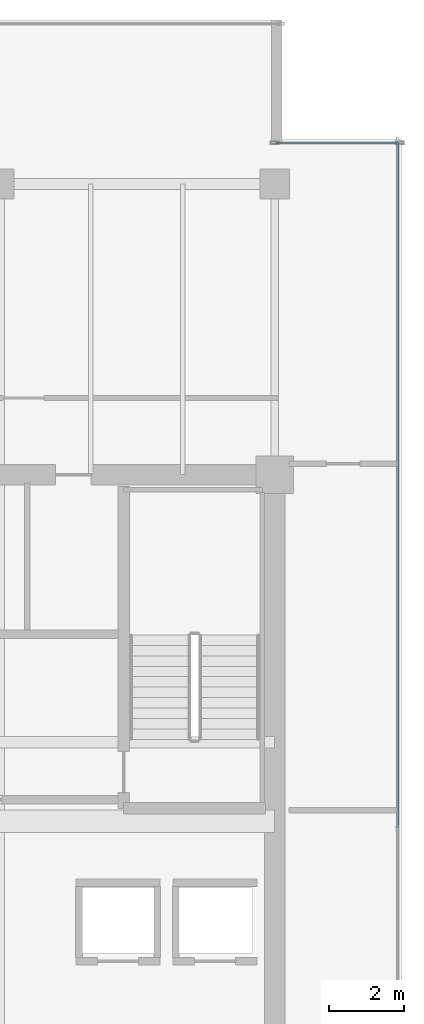
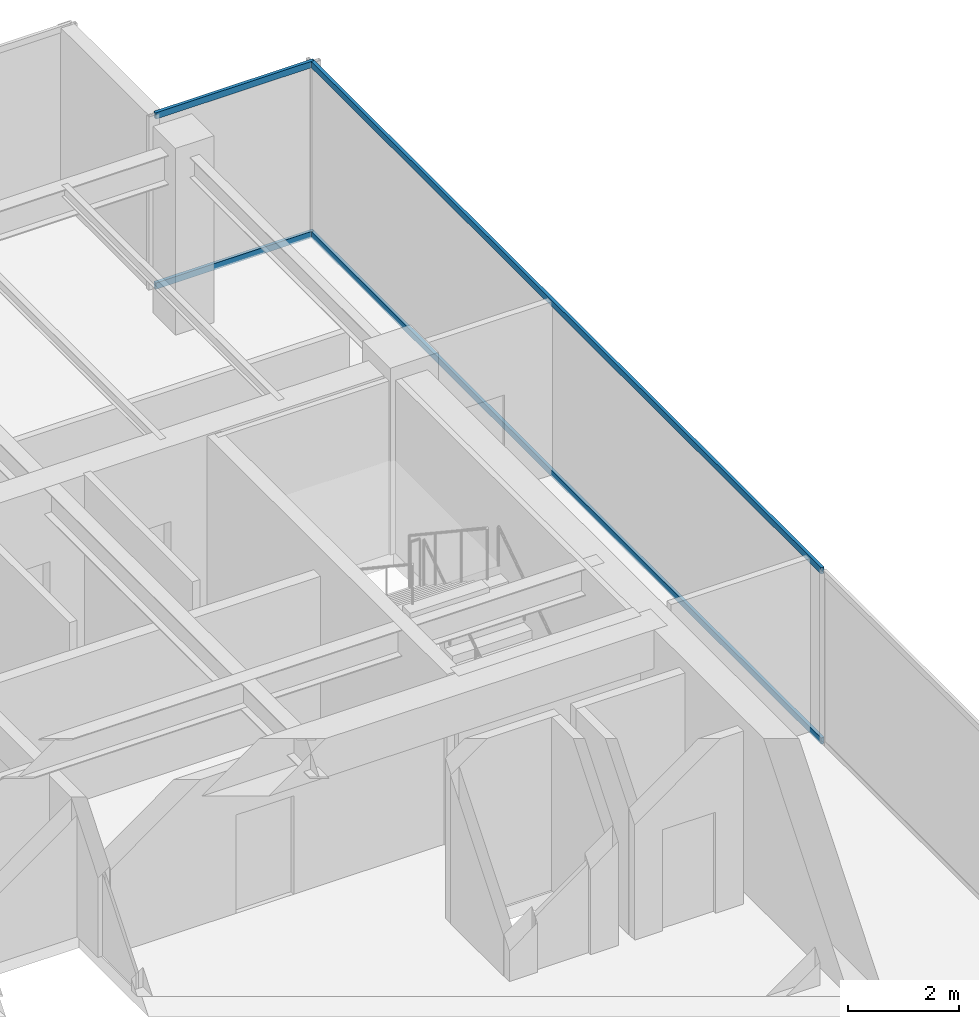
# One storey, part 25 of 33: 4 members, 2 elements without a shape of their own.
"""IFC4 building model written with IfcOpenShell, lengths in metres."""

from ifc_helpers import new_model, si_unit, direction, frame, origin, origin_2d, place, context, subcontext, project, spatial, hollow_rectangle, extrude, source, transform, mapped, material, layer, layer_set, material_profile, profile_set, type_object, type_shapes, element, aggregate, save


model = new_model("IFC4")

# Units and contexts
model_context = context("Model", 3, precision=1e-05, world=origin(), true_north=direction((0.0, 1.0)))
body_context = subcontext(model_context, "Body", "Model", "MODEL_VIEW")
ifc_project = project(units=[si_unit("LENGTHUNIT", "METRE"), si_unit("AREAUNIT", "SQUARE_METRE"), si_unit("VOLUMEUNIT", "CUBIC_METRE"), si_unit("PLANEANGLEUNIT", "RADIAN"), si_unit("MASSUNIT", "GRAM", prefix="KILO")], contexts=[model_context])

# Site, building, storey
site_placement = place(None, origin())
site = spatial("IfcSite", under=ifc_project, at=site_placement, CompositionType="ELEMENT")
building_placement = place(site_placement, origin())
building = spatial("IfcBuilding", under=site, at=building_placement, Name="Haelvirn Gate Laboratories", CompositionType="ELEMENT")
storey_placement = place(building_placement, frame((0.0, 0.0, 275.199951171875)))
storey = spatial("IfcBuildingStorey", under=building, at=storey_placement, Name="L66", CompositionType="ELEMENT", Elevation=275.199951171875)

# Curtain wall, members
ifc_material_1 = material(Name="Anodised bronze unitised aluminium & triple low-E glass", Category="aluminium")
ifc_layer_1 = layer(ifc_material_1, 0.181884765625, Name="CW-SYS-5")
ifc_layer_set_1 = layer_set([ifc_layer_1], Name="Anodised bronze unitised aluminium & triple low-E glass")
curtain_wall_type_1 = type_object("IfcCurtainWallType", Name="CW-SYS-5", PredefinedType="NOTDEFINED", material=ifc_layer_set_1)
curtain_wall_1_placement = place(storey_placement, origin())
curtain_wall_1 = element("IfcCurtainWall", 1, at=curtain_wall_1_placement, inside=storey, type_object=curtain_wall_type_1, Name="L66 Unitised Curtain Wall CW-L66-P0-E08-1", PredefinedType="NOTDEFINED")
ifc_material_2 = material(Name="Extruded aluminium 6063-T6 (anodised bronze)", Category="aluminium")
ifc_material_profile = material_profile(ifc_material_2, hollow_rectangle(XDim=0.06494140625, YDim=0.139892578125, WallThickness=0.00390625, at=origin_2d()), Name="CWT-140x65x4")
ifc_profile_set = profile_set([ifc_material_profile], Name="Extruded aluminium 6063-T6 (anodised bronze)")
member_type = type_object("IfcMemberType", Name="CWT-T140", PredefinedType="USERDEFINED", material=ifc_profile_set)
shared_shape_1 = source(origin(), body_context, "Body", "SweptSolid", [
    extrude(hollow_rectangle(XDim=0.06494140625, YDim=0.139892578125, WallThickness=0.00390625, at=origin_2d()), origin(), (0.0, 0.0, 1.0), 3.280029296875),
])
member_1_placement = place(storey_placement, frame((67.43994140625, 42.699951171875, 0.032470703125), z_axis=(1.0, 0.0, 0.0), x_axis=(0.0, 1.0, 0.0)))
member_1 = element("IfcMember", 2, at=member_1_placement, type_object=member_type, Name="CW5 transom 1.1", ObjectType="TRANSOM", PredefinedType="USERDEFINED", context=body_context, shape_type="MappedRepresentation", body=[
    mapped(shared_shape_1, transform((0.0, 0.0, 0.0), scale=1.0)),
])
member_2_placement = place(storey_placement, frame((67.43994140625, 42.699951171875, 3.767578125), z_axis=(1.0, 0.0, 0.0), x_axis=(0.0, 1.0, 0.0)))
member_2 = element("IfcMember", 3, at=member_2_placement, type_object=member_type, Name="CW5 transom 1.2", ObjectType="TRANSOM", PredefinedType="USERDEFINED", context=body_context, shape_type="MappedRepresentation", body=[
    mapped(shared_shape_1, transform((0.0, 0.0, 0.0), scale=1.0)),
])
aggregate(curtain_wall_1, [member_1, member_2])

ifc_layer_2 = layer(ifc_material_1, 0.176025390625, Name="CW-SYS-4")
ifc_layer_set_2 = layer_set([ifc_layer_2], Name="Anodised bronze unitised aluminium & triple low-E glass")
curtain_wall_type_2 = type_object("IfcCurtainWallType", Name="CW-SYS-4", PredefinedType="NOTDEFINED", material=ifc_layer_set_2)
curtain_wall_2_placement = place(storey_placement, origin())
curtain_wall_2 = element("IfcCurtainWall", 4, at=curtain_wall_2_placement, inside=storey, type_object=curtain_wall_type_2, Name="L66 Unitised Curtain Wall CW-L66-P0-E07", PredefinedType="NOTDEFINED")
shared_shape_2 = source(origin(), body_context, "Body", "SweptSolid", [
    extrude(hollow_rectangle(XDim=0.06494140625, YDim=0.139892578125, WallThickness=0.00390625, at=origin_2d()), origin(), (0.0, 0.0, 1.0), 18.39501953125),
])
type_shapes(member_type, [shared_shape_1, shared_shape_2])
member_3_placement = place(storey_placement, frame((70.699951171875, 24.3349609375, 0.032470703125), z_axis=(0.0, 1.0, 0.0), x_axis=(-1.0, 0.0, 0.0)))
member_3 = element("IfcMember", 5, at=member_3_placement, type_object=member_type, Name="CW4 transom 2.1", ObjectType="TRANSOM", PredefinedType="USERDEFINED", context=body_context, shape_type="MappedRepresentation", body=[
    mapped(shared_shape_2, transform((0.0, 0.0, 0.0), scale=1.0)),
])
member_4_placement = place(storey_placement, frame((70.699951171875, 24.3349609375, 3.767578125), z_axis=(0.0, 1.0, 0.0), x_axis=(-1.0, 0.0, 0.0)))
member_4 = element("IfcMember", 6, at=member_4_placement, type_object=member_type, Name="CW4 transom 2.2", ObjectType="TRANSOM", PredefinedType="USERDEFINED", context=body_context, shape_type="MappedRepresentation", body=[
    mapped(shared_shape_2, transform((0.0, 0.0, 0.0), scale=1.0)),
])
aggregate(curtain_wall_2, [member_3, member_4])

save(model, "model.ifc")
